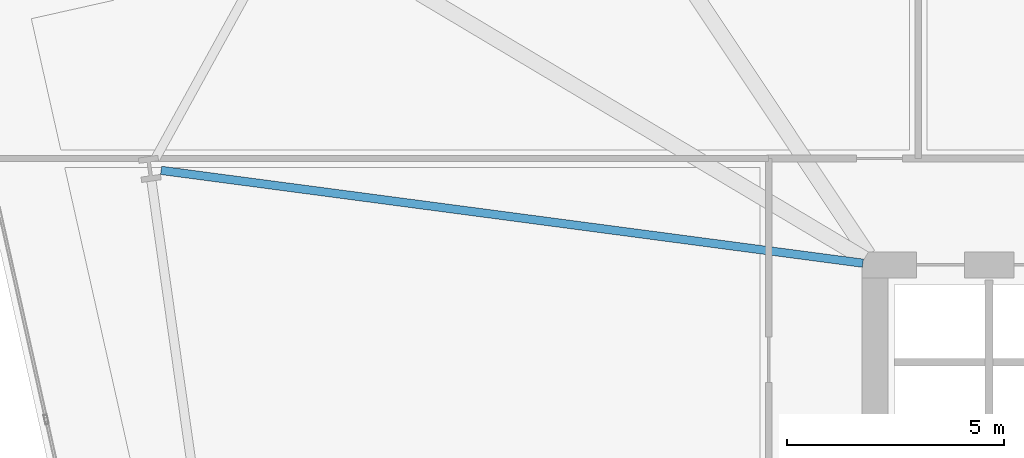
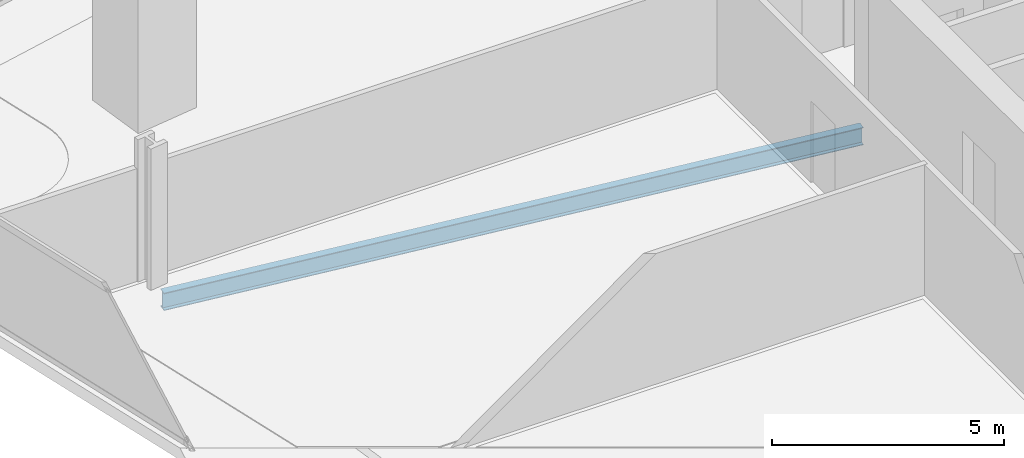
# One storey, part 13 of 32: 1 beam.
"""IFC4 building model written with IfcOpenShell, lengths in metres."""

from ifc_helpers import new_model, si_unit, direction, frame, origin, origin_2d, place, context, subcontext, project, spatial, i_section, extrude, material, material_profile, profile_set, type_object, element, save


model = new_model("IFC4")

# Units and contexts
model_context = context("Model", 3, precision=1e-05, world=origin(), true_north=direction((0.0, 1.0)))
body_context = subcontext(model_context, "Body", "Model", "MODEL_VIEW")
ifc_project = project(units=[si_unit("LENGTHUNIT", "METRE"), si_unit("AREAUNIT", "SQUARE_METRE"), si_unit("VOLUMEUNIT", "CUBIC_METRE"), si_unit("PLANEANGLEUNIT", "RADIAN"), si_unit("MASSUNIT", "GRAM", prefix="KILO")], contexts=[model_context])

# Site, building, storey
site_placement = place(None, origin())
site = spatial("IfcSite", under=ifc_project, at=site_placement, CompositionType="ELEMENT")
building_placement = place(site_placement, origin())
building = spatial("IfcBuilding", under=site, at=building_placement, Name="Haldenkirk Collegiate Tower", CompositionType="ELEMENT")
storey_placement = place(building_placement, frame((0.0, 0.0, 70.199951171875)))
storey = spatial("IfcBuildingStorey", under=building, at=storey_placement, Name="L16", CompositionType="ELEMENT", Elevation=70.199951171875)

# Beam
ifc_material = material(Name="Steel ASTM A992 Grade 50", Category="steel")
ifc_material_profile = material_profile(ifc_material, i_section(OverallWidth=0.19189453125, OverallDepth=0.462890625, WebThickness=0.010498046875, FlangeThickness=0.017578125, at=origin_2d()), Name="W18X60")
ifc_profile_set = profile_set([ifc_material_profile], Name="Steel ASTM A992 Grade 50")
beam_type = type_object("IfcBeamType", Name="BM-JOIST-W18X60", PredefinedType="JOIST", material=ifc_profile_set)
beam_placement = place(storey_placement, frame((10.5283203125, 36.17822265625, -0.54150390625), z_axis=(0.991368569067, -0.131104386906, 0.0), x_axis=(0.131104386906, 0.991368569067, 0.0)))
element("IfcBeam", 1, at=beam_placement, inside=storey, type_object=beam_type, Name="L16 composite floor joist 14", PredefinedType="JOIST", context=body_context, shape_type="SweptSolid", body=[
    extrude(i_section(OverallWidth=0.19189453125, OverallDepth=0.462890625, WebThickness=0.010498046875, FlangeThickness=0.017578125, at=origin_2d()), origin(), (0.0, 0.0, 1.0), 16.335205078125),
])

save(model, "model.ifc")
